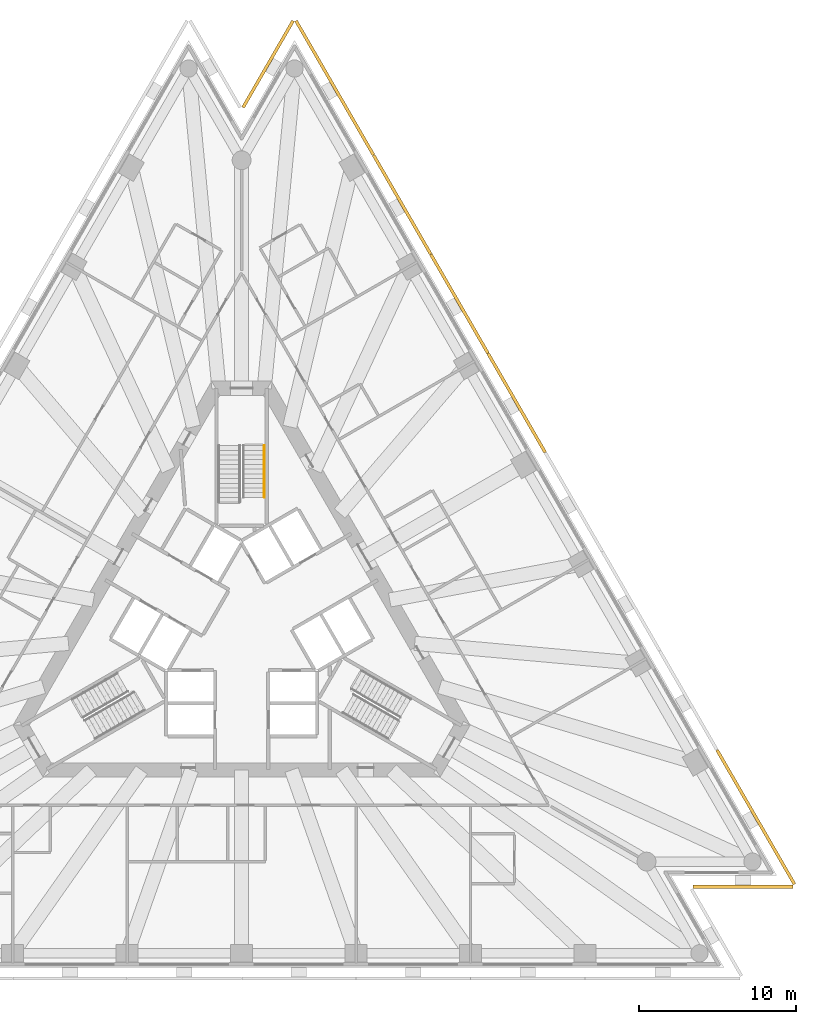
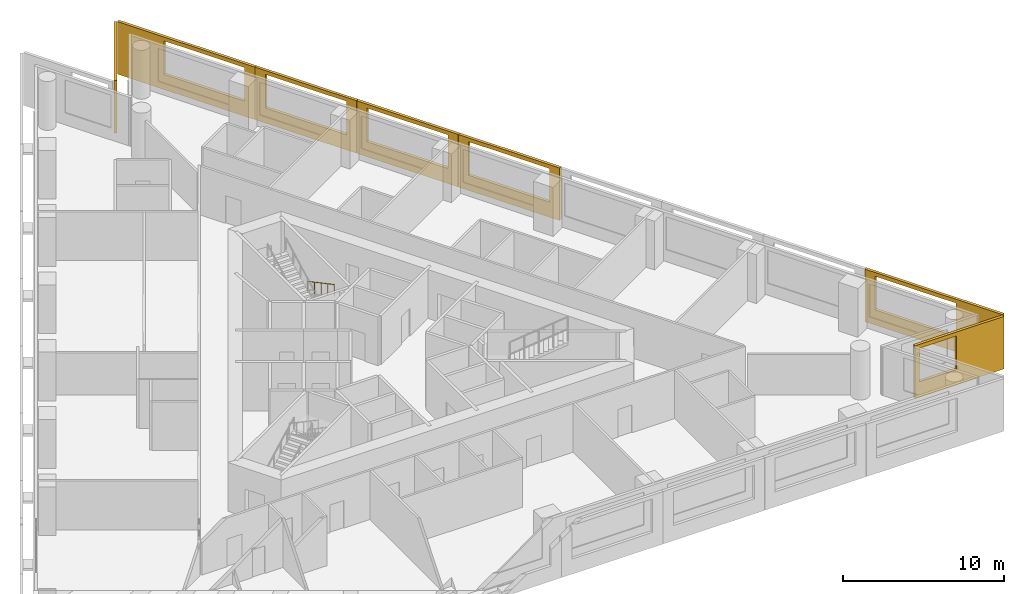
# One storey, part 11 of 11: 7 shading devices, 1 railing, 1 element without a shape of its own.
"""IFC4 building model written with IfcOpenShell, lengths in metres."""

from ifc_helpers import new_model, si_unit, direction, frame, origin, origin_2d, place, context, subcontext, project, spatial, polyline, circle, outline, extrude, material, layer, layer_set, type_object, element, aggregate, save


model = new_model("IFC4")

# Units and contexts
model_context = context("Model", 3, precision=1e-05, world=origin(), true_north=direction((0.0, 1.0)))
body_context = subcontext(model_context, "Body", "Model", "MODEL_VIEW")
ifc_project = project(units=[si_unit("LENGTHUNIT", "METRE"), si_unit("AREAUNIT", "SQUARE_METRE"), si_unit("VOLUMEUNIT", "CUBIC_METRE"), si_unit("PLANEANGLEUNIT", "RADIAN"), si_unit("MASSUNIT", "GRAM", prefix="KILO")], contexts=[model_context])

# Site, building, storey
site_placement = place(None, origin())
site = spatial("IfcSite", under=ifc_project, at=site_placement, CompositionType="ELEMENT")
building_placement = place(site_placement, origin())
building = spatial("IfcBuilding", under=site, at=building_placement, Name="Triada Interchange Tower", CompositionType="ELEMENT")
storey_placement = place(building_placement, frame((0.0, 0.0, 75.300048828125)))
storey = spatial("IfcBuildingStorey", under=building, at=storey_placement, Name="L16", CompositionType="ELEMENT", Elevation=75.300048828125)

# Shading devices
ifc_material_1 = material(Name="Concrete C50/60 precast", Category="concrete")
ifc_layer_1 = layer(ifc_material_1, 0.02001953125, Name="Exposed aggregate face")
ifc_layer_2 = layer(ifc_material_1, 0.179931640625, Name="Precast concrete screen")
ifc_layer_set = layer_set([ifc_layer_1, ifc_layer_2], Name="Outer skin screen panel 3980")
shading_device_type = type_object("IfcShadingDeviceType", Name="Outer skin screen panel 3980", PredefinedType="SHUTTER", material=ifc_layer_set)
shading_device_1_placement = place(storey_placement, frame((28.735107421875, -16.384033203125, -0.2900390625), z_axis=(0.0, 0.0, 1.0), x_axis=(1.0, 0.0, 0.0)))
element("IfcShadingDevice", 1, at=shading_device_1_placement, inside=storey, type_object=shading_device_type, Name="Outer skin screen panel L16 20", PredefinedType="SHUTTER", context=body_context, shape_type="SweptSolid", body=[
    extrude(outline(polyline([(0.0, 0.0), (6.373779296875, 0.0), (6.373779296875, 3.97998046875), (0.0, 3.97998046875), (0.0, 0.0)]), holes=[polyline([(0.300048828125, 1.139892578125), (0.300048828125, 3.68994140625), (2.9580078125, 3.68994140625), (2.9580078125, 1.139892578125), (0.300048828125, 1.139892578125)])]), frame((0.0, 0.0, 0.0), z_axis=(0.0, -1.0, 0.0), x_axis=(1.0, 0.0, 0.0)), (0.0, 0.0, 1.0), 0.199951171875),
])
shading_device_2_placement = place(storey_placement, frame((35.114013671875, -16.375, -0.2900390625), z_axis=(0.0, 0.0, 1.0), x_axis=(-0.500019487037, 0.866014152646, 0.0)))
element("IfcShadingDevice", 2, at=shading_device_2_placement, inside=storey, type_object=shading_device_type, Name="Outer skin screen panel L16 21", PredefinedType="SHUTTER", context=body_context, shape_type="SweptSolid", body=[
    extrude(outline(polyline([(0.0, 0.0), (9.86572265625, 0.0), (9.86572265625, 3.97998046875), (0.0, 3.97998046875), (0.0, 0.0)]), holes=[polyline([(3.332275390625, 1.139892578125), (3.332275390625, 3.68994140625), (9.13232421875, 3.68994140625), (9.13232421875, 1.139892578125), (3.332275390625, 1.139892578125)])]), frame((0.0, 0.0, 0.0), z_axis=(0.0, -1.0, 0.0), x_axis=(1.0, 0.0, 0.0)), (0.0, 0.0, 1.0), 0.199951171875),
])
shading_device_3_placement = place(storey_placement, frame((19.239990234375, 11.1201171875, -0.2900390625), z_axis=(0.0, 0.0, 1.0), x_axis=(-0.500022928159, 0.866012165801, 0.0)))
element("IfcShadingDevice", 3, at=shading_device_3_placement, inside=storey, type_object=shading_device_type, Name="Outer skin screen panel L16 25", PredefinedType="SHUTTER", context=body_context, shape_type="SweptSolid", body=[
    extrude(outline(polyline([(0.0, 0.0), (7.267822265625, 0.0), (7.267822265625, 3.97998046875), (0.0, 3.97998046875), (0.0, 0.0)]), holes=[polyline([(0.73388671875, 1.139892578125), (0.73388671875, 3.68994140625), (6.533935546875, 3.68994140625), (6.533935546875, 1.139892578125), (0.73388671875, 1.139892578125)])]), frame((0.0, 0.0, 0.0), z_axis=(0.0, -1.0, 0.0), x_axis=(1.0, 0.0, 0.0)), (0.0, 0.0, 1.0), 0.199951171875),
])
shading_device_4_placement = place(storey_placement, frame((15.595947265625, 17.430908203125, -0.2900390625), z_axis=(0.0, 0.0, 1.0), x_axis=(-0.499907598821, 0.866078745058, 0.0)))
element("IfcShadingDevice", 4, at=shading_device_4_placement, inside=storey, type_object=shading_device_type, Name="Outer skin screen panel L16 26", PredefinedType="SHUTTER", context=body_context, shape_type="SweptSolid", body=[
    extrude(outline(polyline([(0.0, 0.0), (7.267578125, 0.0), (7.267578125, 3.97998046875), (0.0, 3.97998046875), (0.0, 0.0)]), holes=[polyline([(0.7333984375, 1.139892578125), (0.7333984375, 3.68994140625), (6.533203125, 3.68994140625), (6.533203125, 1.139892578125), (0.7333984375, 1.139892578125)])]), frame((0.0, 0.0, 0.0), z_axis=(0.0, -1.0, 0.0), x_axis=(1.0, 0.0, 0.0)), (0.0, 0.0, 1.0), 0.199951171875),
])
shading_device_5_placement = place(storey_placement, frame((11.952880859375, 23.741943359375, -0.2900390625), z_axis=(0.0, 0.0, 1.0), x_axis=(-0.499997733992, 0.866026712061, 0.0)))
element("IfcShadingDevice", 5, at=shading_device_5_placement, inside=storey, type_object=shading_device_type, Name="Outer skin screen panel L16 27", PredefinedType="SHUTTER", context=body_context, shape_type="SweptSolid", body=[
    extrude(outline(polyline([(0.0, 0.0), (7.267578125, 0.0), (7.267578125, 3.97998046875), (0.0, 3.97998046875), (0.0, 0.0)]), holes=[polyline([(0.73388671875, 1.139892578125), (0.73388671875, 3.68994140625), (6.53369140625, 3.68994140625), (6.53369140625, 1.139892578125), (0.73388671875, 1.139892578125)])]), frame((0.0, 0.0, 0.0), z_axis=(0.0, -1.0, 0.0), x_axis=(1.0, 0.0, 0.0)), (0.0, 0.0, 1.0), 0.199951171875),
])
shading_device_6_placement = place(storey_placement, frame((8.30908203125, 30.052978515625, -0.2900390625), z_axis=(0.0, 0.0, 1.0), x_axis=(-0.500019487037, 0.866014152646, 0.0)))
element("IfcShadingDevice", 6, at=shading_device_6_placement, inside=storey, type_object=shading_device_type, Name="Outer skin screen panel L16 28", PredefinedType="SHUTTER", context=body_context, shape_type="SweptSolid", body=[
    extrude(outline(polyline([(0.0, 0.0), (9.86572265625, 0.0), (9.86572265625, 3.97998046875), (0.0, 3.97998046875), (0.0, 0.0)]), holes=[polyline([(0.734130859375, 1.139892578125), (0.734130859375, 3.68994140625), (6.5341796875, 3.68994140625), (6.5341796875, 1.139892578125), (0.734130859375, 1.139892578125)])]), frame((0.0, 0.0, 0.0), z_axis=(0.0, -1.0, 0.0), x_axis=(1.0, 0.0, 0.0)), (0.0, 0.0, 1.0), 0.199951171875),
])
shading_device_7_placement = place(storey_placement, frame((3.365966796875, 38.596923828125, -0.2900390625), z_axis=(0.0, 0.0, 1.0), x_axis=(-0.500118066197, -0.865957227502, 0.0)))
element("IfcShadingDevice", 7, at=shading_device_7_placement, inside=storey, type_object=shading_device_type, Name="Outer skin screen panel L16 29", PredefinedType="SHUTTER", context=body_context, shape_type="SweptSolid", body=[
    extrude(outline(polyline([(0.0, 0.0), (6.37451171875, 0.0), (6.37451171875, 3.97998046875), (0.0, 3.97998046875), (0.0, 0.0)]), holes=[polyline([(3.175537109375, 1.139892578125), (3.175537109375, 3.68994140625), (6.074951171875, 3.68994140625), (6.074951171875, 1.139892578125), (3.175537109375, 1.139892578125)])]), frame((0.0, 0.0, 0.0), z_axis=(0.0, -1.0, 0.0), x_axis=(1.0, 0.0, 0.0)), (0.0, 0.0, 1.0), 0.199951171875),
])

# Stair, railing
ifc_material_2 = material(Name="Concrete C35/45", Category="concrete")
stair_type = type_object("IfcStairType", Name="HALF TURN STAIR 1400", PredefinedType="HALF_TURN_STAIR", material=ifc_material_2)
stair_placement = place(storey_placement, origin())
stair = element("IfcStair", 8, at=stair_placement, inside=storey, type_object=stair_type, Name="Exit stair S15-1", PredefinedType="HALF_TURN_STAIR")
ifc_material_3 = material(Name="Stainless steel 1.4301", Category="steel")
railing_type = type_object("IfcRailingType", Name="STAIR HANDRAIL 900", PredefinedType="HANDRAIL", material=ifc_material_3)
railing_placement = place(storey_placement, frame((1.449951171875, 11.60009765625, 0.159912109375)))
railing = element("IfcRailing", 9, at=railing_placement, type_object=railing_type, Name="Handrail S15-1 1W", PredefinedType="HANDRAIL", context=body_context, shape_type="SweptSolid", body=[
    extrude(circle(Radius=0.02392578125, at=origin_2d()), frame((0.0, 0.0, 0.8759765625), z_axis=(0.0, -0.882354748157, 0.47058484719), x_axis=(1.0, 0.0, 0.0)), (0.0, 0.0, 1.0), 3.739990234375),
    extrude(circle(Radius=0.02099609375, at=origin_2d()), origin(), (0.0, 0.0, 1.0), 0.851806640625),
    extrude(circle(Radius=0.02099609375, at=origin_2d()), frame((0.0, -0.824951171875, 0.43994140625)), (0.0, 0.0, 1.0), 0.851806640625),
    extrude(circle(Radius=0.02099609375, at=origin_2d()), frame((0.0, -1.64990234375, 0.8798828125)), (0.0, 0.0, 1.0), 0.851806640625),
    extrude(circle(Radius=0.02099609375, at=origin_2d()), frame((0.0, -2.47509765625, 1.320068359375)), (0.0, 0.0, 1.0), 0.851806640625),
    extrude(circle(Radius=0.02099609375, at=origin_2d()), frame((0.0, -3.300048828125, 1.760009765625)), (0.0, 0.0, 1.0), 0.851806640625),
])
aggregate(stair, [railing])

save(model, "model.ifc")
